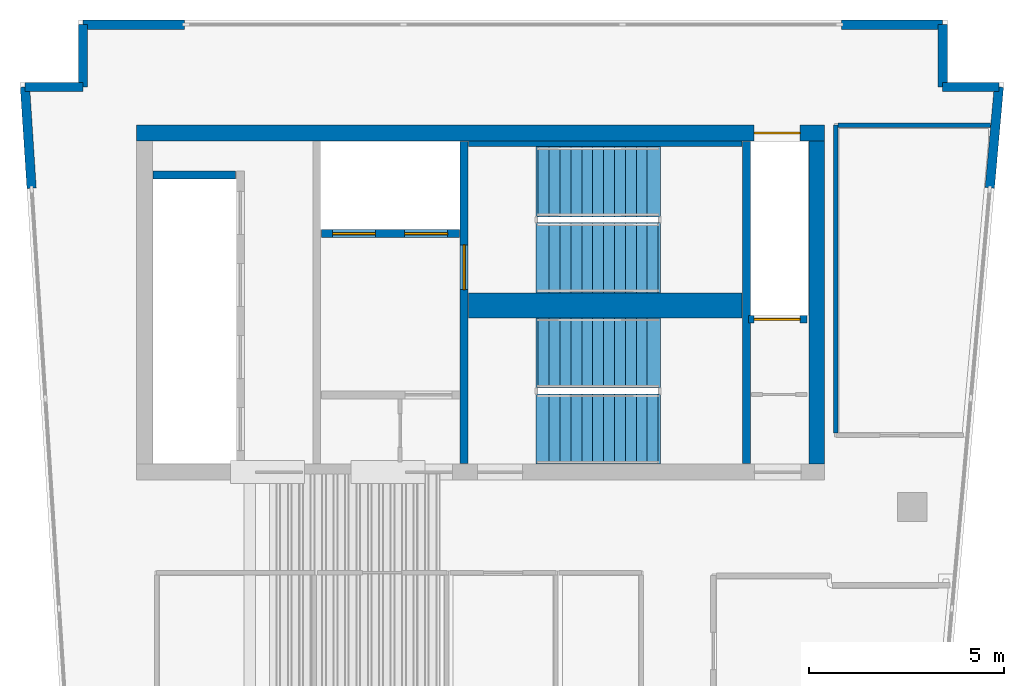
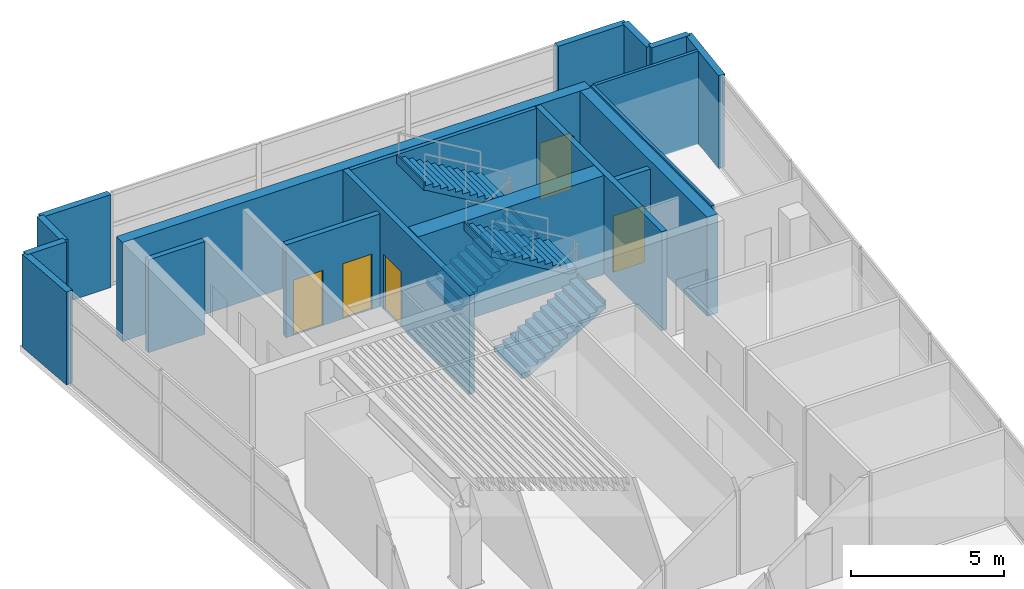
# One storey, part 5 of 7: 19 walls, 5 doors, 4 stair flights, 5 openings, 2 elements without a shape of their own.
"""IFC4 building model written with IfcOpenShell, lengths in metres."""

from ifc_helpers import new_model, si_unit, direction, frame, frame_2d, origin, place, context, subcontext, project, spatial, polyline, rectangle, outline, extrude, material, layer, layer_set, type_object, element, fill, aggregate, save


model = new_model("IFC4")

# Units and contexts
model_context = context("Model", 3, precision=1e-05, world=origin(), true_north=direction((0.0, 1.0)))
body_context = subcontext(model_context, "Body", "Model", "MODEL_VIEW")
ifc_project = project(units=[si_unit("LENGTHUNIT", "METRE"), si_unit("AREAUNIT", "SQUARE_METRE"), si_unit("VOLUMEUNIT", "CUBIC_METRE"), si_unit("PLANEANGLEUNIT", "RADIAN"), si_unit("MASSUNIT", "GRAM", prefix="KILO")], contexts=[model_context])

# Site, building, storey
site_placement = place(None, origin())
site = spatial("IfcSite", under=ifc_project, at=site_placement, CompositionType="ELEMENT")
building_placement = place(site_placement, origin())
building = spatial("IfcBuilding", under=site, at=building_placement, Name="Caeloran Harvest Quay", CompositionType="ELEMENT")
storey_placement = place(building_placement, frame((0.0, 0.0, 304.10009765625)))
storey = spatial("IfcBuildingStorey", under=building, at=storey_placement, Name="L73", CompositionType="ELEMENT", Elevation=304.10009765625)

# Walls
ifc_material_1 = material(Name="Precast concrete C50/60", Category="concrete")
ifc_layer_1 = layer(ifc_material_1, 0.239990234375, Name="Precast concrete C50/60")
ifc_layer_set_1 = layer_set([ifc_layer_1], Name="Precast concrete C50/60")
wall_type_1 = type_object("IfcWallType", Name="ENV-WALL-EW-240", PredefinedType="STANDARD", material=ifc_layer_set_1)
wall_1_placement = place(storey_placement, frame((2.902099609375, 39.185546875, 0.0), z_axis=(0.0, 0.0, 1.0), x_axis=(-0.065166541347, 0.997874401861, 0.0)))
element("IfcWall", 1, at=wall_1_placement, inside=storey, type_object=wall_type_1, Name="L73 Exterior Facade Corner Pier Wall 3B", PredefinedType="STANDARD", context=body_context, shape_type="SweptSolid", body=[
    extrude(rectangle(XDim=2.60009765625, YDim=0.239990234375, at=frame_2d((1.300048828125, 0.0))), origin(), (0.0, 0.0, 1.0), 3.699951171875),
])
wall_2_placement = place(storey_placement, frame((2.732666015625, 41.780029296875, 0.0), z_axis=(0.0, 0.0, 1.0), x_axis=(1.0, 0.0, 0.0)))
element("IfcWall", 2, at=wall_2_placement, inside=storey, type_object=wall_type_1, Name="L73 Exterior Precast Concrete Facade Wall 4", PredefinedType="STANDARD", context=body_context, shape_type="SweptSolid", body=[
    extrude(rectangle(XDim=1.4873046875, YDim=0.239990234375, at=frame_2d((0.74365234375, 0.0))), origin(), (0.0, 0.0, 1.0), 3.699951171875),
])
wall_3_placement = place(storey_placement, frame((4.219970703125, 41.780029296875, 0.0), z_axis=(0.0, 0.0, 1.0), x_axis=(0.0, 1.0, 0.0)))
element("IfcWall", 3, at=wall_3_placement, inside=storey, type_object=wall_type_1, Name="L73 Exterior Precast Concrete Facade Wall 5", PredefinedType="STANDARD", context=body_context, shape_type="SweptSolid", body=[
    extrude(rectangle(XDim=1.599853515625, YDim=0.239990234375, at=frame_2d((0.7998046875, 0.0))), origin(), (0.0, 0.0, 1.0), 3.699951171875),
])
for number, where, z_axis, x_axis, name in (
    (4, (4.219970703125, 43.3798828125, 0.0), (0.0, 0.0, 1.0), (1.0, 0.0, 0.0), "L73 Exterior Facade Corner Pier Wall 6A"),
    (5, (23.679931640625, 43.3798828125, 0.0), (0.0, 0.0, 1.0), (1.0, 0.0, 0.0), "L73 Exterior Facade Corner Pier Wall 6B"),
):
    element("IfcWall", number, at=place(storey_placement, frame(where, z_axis=z_axis, x_axis=x_axis)), inside=storey, type_object=wall_type_1, Name=name, PredefinedType="STANDARD", context=body_context, shape_type="SweptSolid", body=[
        extrude(rectangle(XDim=2.60009765625, YDim=0.239990234375, at=frame_2d((1.300048828125, 0.0))), origin(), (0.0, 0.0, 1.0), 3.699951171875),
    ])
wall_4_placement = place(storey_placement, frame((26.280029296875, 43.3798828125, 0.0), z_axis=(0.0, 0.0, 1.0), x_axis=(0.0, -1.0, 0.0)))
element("IfcWall", 6, at=wall_4_placement, inside=storey, type_object=wall_type_1, Name="L73 Exterior Precast Concrete Facade Wall 7", PredefinedType="STANDARD", context=body_context, shape_type="SweptSolid", body=[
    extrude(rectangle(XDim=1.599853515625, YDim=0.239990234375, at=frame_2d((0.7998046875, 0.0))), origin(), (0.0, 0.0, 1.0), 3.699951171875),
])
wall_5_placement = place(storey_placement, frame((26.280029296875, 41.780029296875, 0.0), z_axis=(0.0, 0.0, 1.0), x_axis=(1.0, 0.0, 0.0)))
element("IfcWall", 7, at=wall_5_placement, inside=storey, type_object=wall_type_1, Name="L73 Exterior Precast Concrete Facade Wall 8", PredefinedType="STANDARD", context=body_context, shape_type="SweptSolid", body=[
    extrude(rectangle(XDim=1.4443359375, YDim=0.239990234375, at=frame_2d((0.72216796875, 0.0))), origin(), (0.0, 0.0, 1.0), 3.699951171875),
])
wall_6_placement = place(storey_placement, frame((27.724365234375, 41.780029296875, 0.0), z_axis=(0.0, 0.0, 1.0), x_axis=(-0.089765303723, -0.995962946222, 0.0)))
element("IfcWall", 8, at=wall_6_placement, inside=storey, type_object=wall_type_1, Name="L73 Exterior Facade Corner Pier Wall 9A", PredefinedType="STANDARD", context=body_context, shape_type="SweptSolid", body=[
    extrude(rectangle(XDim=2.60009765625, YDim=0.239990234375, at=frame_2d((1.300048828125, 0.0))), origin(), (0.0, 0.0, 1.0), 3.699951171875),
])
ifc_material_2 = material(Name="Single-Stud Acoustic Gypsum Office Partition", Category="gypsum")
ifc_layer_2 = layer(ifc_material_2, 0.112060546875, Name="Single-Stud Acoustic Gypsum Office Partition")
ifc_layer_set_2 = layer_set([ifc_layer_2], Name="Single-Stud Acoustic Gypsum Office Partition")
wall_type_2 = type_object("IfcWallType", Name="INT-WALL-PW-112", PredefinedType="PARTITIONING", material=ifc_layer_set_2)
wall_7_placement = place(storey_placement, frame((23.5400390625, 32.90087890625, 0.0), z_axis=(0.0, 0.0, 1.0), x_axis=(0.0, 1.0, 0.0)))
element("IfcWall", 9, at=wall_7_placement, inside=storey, type_object=wall_type_2, Name="L73 Bioinformatics and Crop Phenotyping Laboratory Partition Wall", PredefinedType="PARTITIONING", context=body_context, shape_type="SweptSolid", body=[
    extrude(rectangle(XDim=7.899169921875, YDim=0.112060546875, at=frame_2d((3.94970703125, 0.0))), origin(), (0.0, 0.0, 1.0), 3.699951171875),
])
wall_8_placement = place(storey_placement, frame((23.60107421875, 40.800048828125, 0.0), z_axis=(0.0, 0.0, 1.0), x_axis=(1.0, 0.0, 0.0)))
element("IfcWall", 10, at=wall_8_placement, inside=storey, type_object=wall_type_2, Name="L73 Bioinformatics and Crop Phenotyping Laboratory Partition Wall", PredefinedType="PARTITIONING", context=body_context, shape_type="SweptSolid", body=[
    extrude(rectangle(XDim=3.909423828125, YDim=0.112060546875, at=frame_2d((1.95458984375, 0.0))), origin(), (0.0, 0.0, 1.0), 3.699951171875),
])
ifc_material_3 = material(Name="Concrete C50/60", Category="concrete")
ifc_layer_3 = layer(ifc_material_3, 0.199951171875, Name="Concrete C50/60")
ifc_layer_set_3 = layer_set([ifc_layer_3], Name="Concrete C50/60")
wall_type_3 = type_object("IfcWallType", Name="INT-WALL-SW-200", PredefinedType="PARTITIONING", material=ifc_layer_set_3)
wall_9_placement = place(storey_placement, frame((6.02001953125, 39.52001953125, 0.0), z_axis=(0.0, 0.0, 1.0), x_axis=(1.0, 0.0, 0.0)))
element("IfcWall", 11, at=wall_9_placement, inside=storey, type_object=wall_type_3, Name="L73 Bank 3 Lift Shaft North End Wall", PredefinedType="PARTITIONING", context=body_context, shape_type="SweptSolid", body=[
    extrude(rectangle(XDim=2.119873046875, YDim=0.199951171875, at=frame_2d((1.06005859375, 0.0))), origin(), (0.0, 0.0, 1.0), 3.699951171875),
])

# Wall, openings, doors
wall_10_placement = place(storey_placement, frame((10.340087890625, 38.02001953125, 0.0), z_axis=(0.0, 0.0, 1.0), x_axis=(1.0, 0.0, 0.0)))
wall_10 = element("IfcWall", 12, at=wall_10_placement, inside=storey, type_object=wall_type_3, Name="L73 Firefighting Lift Shaft Wall", PredefinedType="PARTITIONING", context=body_context, shape_type="SweptSolid", body=[
    extrude(rectangle(XDim=3.539794921875, YDim=0.199951171875, at=frame_2d((1.77001953125, 0.0))), origin(), (0.0, 0.0, 1.0), 3.699951171875),
])
opening_1_placement = place(wall_10_placement, frame((0.284912109375, 0.0, 0.0)))
opening_1 = element("IfcOpeningElement", 13, at=opening_1_placement, cuts=wall_10, Name="Opening LD-01", PredefinedType="OPENING", context=body_context, shape_type="SweptSolid", body=[
    extrude(rectangle(XDim=1.10009765625, YDim=2.199951171875, at=frame_2d((0.550048828125, 1.10009765625))), frame((0.0, 0.10986328125, 0.0), z_axis=(0.0, -1.0, 0.0), x_axis=(1.0, 0.0, 0.0)), (0.0, 0.0, 1.0), 0.219970703125),
])
opening_2_placement = place(wall_10_placement, frame((2.135009765625, 0.0, 0.0)))
opening_2 = element("IfcOpeningElement", 14, at=opening_2_placement, cuts=wall_10, Name="Opening LD-01", PredefinedType="OPENING", context=body_context, shape_type="SweptSolid", body=[
    extrude(rectangle(XDim=1.10009765625, YDim=2.199951171875, at=frame_2d((0.550048828125, 1.10009765625))), frame((0.0, 0.10986328125, 0.0), z_axis=(0.0, -1.0, 0.0), x_axis=(1.0, 0.0, 0.0)), (0.0, 0.0, 1.0), 0.219970703125),
])
ifc_material_4 = material(Name="Stainless Steel Grade 316", Category="steel")
door_type_1 = type_object("IfcDoorType", Name="INTDOOR-LD-01", OperationType="NOTDEFINED", PredefinedType="DOOR", material=ifc_material_4)
door_1_placement = place(opening_1_placement, origin())
door_1 = element("IfcDoor", 15, at=door_1_placement, inside=storey, type_object=door_type_1, Name="Lift FF-1 Sliding Landing Door (L73)", OperationType="DOUBLE_DOOR_SLIDING", OverallHeight=2.199951171875, OverallWidth=1.10009765625, PredefinedType="DOOR", context=body_context, shape_type="SweptSolid", body=[
    extrude(rectangle(XDim=1.10009765625, YDim=2.199951171875, at=frame_2d((0.550048828125, 1.10009765625))), frame((0.0, 0.02490234375, 0.0), z_axis=(0.0, -1.0, 0.0), x_axis=(1.0, 0.0, 0.0)), (0.0, 0.0, 1.0), 0.050048828125),
])
fill(opening_1, door_1)
door_2_placement = place(opening_2_placement, origin())
door_2 = element("IfcDoor", 16, at=door_2_placement, inside=storey, type_object=door_type_1, Name="Lift FF-2 Sliding Landing Door (L73)", OperationType="DOUBLE_DOOR_SLIDING", OverallHeight=2.199951171875, OverallWidth=1.10009765625, PredefinedType="DOOR", context=body_context, shape_type="SweptSolid", body=[
    extrude(rectangle(XDim=1.10009765625, YDim=2.199951171875, at=frame_2d((0.550048828125, 1.10009765625))), frame((0.0, 0.02490234375, 0.0), z_axis=(0.0, -1.0, 0.0), x_axis=(1.0, 0.0, 0.0)), (0.0, 0.0, 1.0), 0.050048828125),
])
fill(opening_2, door_2)

# Wall, opening, door
wall_11_placement = place(storey_placement, frame((21.300048828125, 35.820068359375, 0.0), z_axis=(0.0, 0.0, 1.0), x_axis=(1.0, 0.0, 0.0)))
wall_11 = element("IfcWall", 17, at=wall_11_placement, inside=storey, type_object=wall_type_3, Name="L73 Service Lift SV-2 Shaft Wall", PredefinedType="PARTITIONING", context=body_context, shape_type="SweptSolid", body=[
    extrude(rectangle(XDim=1.5, YDim=0.199951171875, at=frame_2d((0.75, 0.0))), origin(), (0.0, 0.0, 1.0), 3.699951171875),
])
opening_3_placement = place(wall_11_placement, frame((0.14501953125, 0.0, 0.0)))
opening_3 = element("IfcOpeningElement", 18, at=opening_3_placement, cuts=wall_11, Name="Opening LD-02", PredefinedType="OPENING", context=body_context, shape_type="SweptSolid", body=[
    extrude(rectangle(XDim=1.179931640625, YDim=2.25, at=frame_2d((0.58984375, 1.125))), frame((0.0, 0.10986328125, 0.0), z_axis=(0.0, -1.0, 0.0), x_axis=(1.0, 0.0, 0.0)), (0.0, 0.0, 1.0), 0.219970703125),
])
door_type_2 = type_object("IfcDoorType", Name="INTDOOR-LD-02", OperationType="NOTDEFINED", PredefinedType="DOOR", material=ifc_material_4)
door_3_placement = place(opening_3_placement, origin())
door_3 = element("IfcDoor", 19, at=door_3_placement, inside=storey, type_object=door_type_2, Name="Lift SV-2 Sliding Landing Door (L73)", OperationType="DOUBLE_DOOR_SLIDING", OverallHeight=2.25, OverallWidth=1.179931640625, PredefinedType="DOOR", context=body_context, shape_type="SweptSolid", body=[
    extrude(rectangle(XDim=1.179931640625, YDim=2.25, at=frame_2d((0.58984375, 1.125))), frame((0.0, 0.02490234375, 0.0), z_axis=(0.0, -1.0, 0.0), x_axis=(1.0, 0.0, 0.0)), (0.0, 0.0, 1.0), 0.050048828125),
])
fill(opening_3, door_3)

ifc_material_5 = material(Name="Concrete C60/75", Category="concrete")
ifc_layer_4 = layer(ifc_material_5, 0.39990234375, Name="Concrete C60/75")
ifc_layer_set_4 = layer_set([ifc_layer_4], Name="Concrete C60/75")
wall_type_4 = type_object("IfcWallType", Name="STR-WALL-CW-400", PredefinedType="SHEAR", material=ifc_layer_set_4)
wall_12_placement = place(storey_placement, frame((5.60009765625, 40.60009765625, 0.0), z_axis=(0.0, 0.0, 1.0), x_axis=(1.0, 0.0, 0.0)))
wall_12 = element("IfcWall", 20, at=wall_12_placement, inside=storey, type_object=wall_type_4, Name="L73 Rear Core Shear Wall N", PredefinedType="SHEAR", context=body_context, shape_type="SweptSolid", body=[
    extrude(rectangle(XDim=17.64990234375, YDim=0.39990234375, at=frame_2d((8.824951171875, 0.0))), origin(), (0.0, 0.0, 1.0), 3.949951171875),
])
opening_4_placement = place(wall_12_placement, frame((15.844970703125, 0.0, 0.0)))
opening_4 = element("IfcOpeningElement", 21, at=opening_4_placement, cuts=wall_12, Name="Opening LD-02", PredefinedType="OPENING", context=body_context, shape_type="SweptSolid", body=[
    extrude(rectangle(XDim=1.179931640625, YDim=2.25, at=frame_2d((0.58984375, 1.125))), frame((0.0, 0.2099609375, 0.0), z_axis=(0.0, -1.0, 0.0), x_axis=(1.0, 0.0, 0.0)), (0.0, 0.0, 1.0), 0.419921875),
])
door_4_placement = place(opening_4_placement, origin())
door_4 = element("IfcDoor", 22, at=door_4_placement, inside=storey, type_object=door_type_2, Name="Lift SV-1 Sliding Landing Door (L73)", OperationType="DOUBLE_DOOR_SLIDING", OverallHeight=2.25, OverallWidth=1.179931640625, PredefinedType="DOOR", context=body_context, shape_type="SweptSolid", body=[
    extrude(rectangle(XDim=1.179931640625, YDim=2.25, at=frame_2d((0.58984375, 1.125))), frame((0.0, 0.02490234375, 0.0), z_axis=(0.0, -1.0, 0.0), x_axis=(1.0, 0.0, 0.0)), (0.0, 0.0, 1.0), 0.050048828125),
])
fill(opening_4, door_4)

# Walls
wall_13_placement = place(storey_placement, frame((23.050048828125, 32.10009765625, 0.0), z_axis=(0.0, 0.0, 1.0), x_axis=(0.0, 1.0, 0.0)))
element("IfcWall", 23, at=wall_13_placement, inside=storey, type_object=wall_type_4, Name="L73 Rear Core Shear Wall E", PredefinedType="SHEAR", context=body_context, shape_type="SweptSolid", body=[
    extrude(rectangle(XDim=8.2998046875, YDim=0.39990234375, at=frame_2d((4.14990234375, 0.0))), origin(), (0.0, 0.0, 1.0), 3.949951171875),
])
ifc_layer_5 = layer(ifc_material_5, 0.64990234375, Name="Concrete C60/75")
ifc_layer_set_5 = layer_set([ifc_layer_5], Name="Concrete C60/75")
wall_type_5 = type_object("IfcWallType", Name="STR-WALL-CW-650", PredefinedType="SHEAR", material=ifc_layer_set_5)
wall_14_placement = place(storey_placement, frame((14.1201171875, 36.175048828125, 0.0), z_axis=(0.0, 0.0, 1.0), x_axis=(1.0, 0.0, 0.0)))
element("IfcWall", 24, at=wall_14_placement, inside=storey, type_object=wall_type_5, Name="L73 Core Stairs Dividing Shear Wall", PredefinedType="SHEAR", context=body_context, shape_type="SweptSolid", body=[
    extrude(rectangle(XDim=7.009765625, YDim=0.64990234375, at=frame_2d((3.5048828125, 0.0))), origin(), (0.0, 0.0, 1.0), 3.949951171875),
])
ifc_layer_6 = layer(ifc_material_5, 0.139892578125, Name="Concrete C60/75")
ifc_layer_set_6 = layer_set([ifc_layer_6], Name="Concrete C60/75")
wall_type_6 = type_object("IfcWallType", Name="STR-WALL-SW-140", PredefinedType="SHEAR", material=ifc_layer_set_6)
wall_15_placement = place(storey_placement, frame((14.1201171875, 40.320068359375, 0.0), z_axis=(0.0, 0.0, 1.0), x_axis=(1.0, 0.0, 0.0)))
element("IfcWall", 25, at=wall_15_placement, inside=storey, type_object=wall_type_6, Name="L73 Core Stair ST-C1 North Bearing Shear Wall", PredefinedType="SHEAR", context=body_context, shape_type="SweptSolid", body=[
    extrude(rectangle(XDim=7.009765625, YDim=0.139892578125, at=frame_2d((3.5048828125, 0.0))), origin(), (0.0, 0.0, 1.0), 3.949951171875),
])

# Wall, opening, door
ifc_layer_7 = layer(ifc_material_5, 0.199951171875, Name="Concrete C60/75")
ifc_layer_set_7 = layer_set([ifc_layer_7], Name="Concrete C60/75")
wall_type_7 = type_object("IfcWallType", Name="STR-WALL-SW-200", PredefinedType="SHEAR", material=ifc_layer_set_7)
wall_16_placement = place(storey_placement, frame((14.0, 32.1201171875, 0.0), z_axis=(0.0, 0.0, 1.0), x_axis=(0.0, 1.0, 0.0)))
wall_16 = element("IfcWall", 26, at=wall_16_placement, inside=storey, type_object=wall_type_7, Name="L73 Core Stair Shaft West Shear Wall", PredefinedType="SHEAR", context=body_context, shape_type="SweptSolid", body=[
    extrude(rectangle(XDim=8.259765625, YDim=0.199951171875, at=frame_2d((4.1298828125, 0.0))), origin(), (0.0, 0.0, 1.0), 3.949951171875),
])
opening_5_placement = place(wall_16_placement, frame((4.4599609375, 0.0, 0.0)))
opening_5 = element("IfcOpeningElement", 27, at=opening_5_placement, cuts=wall_16, Name="Opening SD-01", PredefinedType="OPENING", context=body_context, shape_type="SweptSolid", body=[
    extrude(rectangle(XDim=1.14990234375, YDim=2.199951171875, at=frame_2d((0.574951171875, 1.10009765625))), frame((0.0, 0.10986328125, 0.0), z_axis=(0.0, -1.0, 0.0), x_axis=(1.0, 0.0, 0.0)), (0.0, 0.0, 1.0), 0.219970703125),
])
ifc_material_6 = material(Name="Steel", Category="steel")
door_type_3 = type_object("IfcDoorType", Name="INTDOOR-SD-01", OperationType="NOTDEFINED", PredefinedType="DOOR", material=ifc_material_6)
door_5_placement = place(opening_5_placement, origin())
door_5 = element("IfcDoor", 28, at=door_5_placement, inside=storey, type_object=door_type_3, Name="L73 Protected Stair ST-C1 Exit Door", OperationType="SINGLE_SWING_LEFT", OverallHeight=2.199951171875, OverallWidth=1.14990234375, PredefinedType="DOOR", context=body_context, shape_type="SweptSolid", body=[
    extrude(rectangle(XDim=1.14990234375, YDim=2.199951171875, at=frame_2d((0.574951171875, 1.10009765625))), frame((0.0, 0.02490234375, 0.0), z_axis=(0.0, -1.0, 0.0), x_axis=(1.0, 0.0, 0.0)), (0.0, 0.0, 1.0), 0.050048828125),
])
fill(opening_5, door_5)

# Wall
wall_17_placement = place(storey_placement, frame((21.25, 32.1201171875, 0.0), z_axis=(0.0, 0.0, 1.0), x_axis=(0.0, 1.0, 0.0)))
element("IfcWall", 29, at=wall_17_placement, inside=storey, type_object=wall_type_7, Name="L73 Core Stair Shaft East Shear Wall", PredefinedType="SHEAR", context=body_context, shape_type="SweptSolid", body=[
    extrude(rectangle(XDim=8.259765625, YDim=0.199951171875, at=frame_2d((4.1298828125, 0.0))), origin(), (0.0, 0.0, 1.0), 3.949951171875),
])

# Stair, stair flights
stair_type = type_object("IfcStairType", Name="STAIR-STC-180", PredefinedType="HALF_TURN_STAIR", material=ifc_material_3)
stair_1_placement = place(storey_placement, origin())
stair_1 = element("IfcStair", 30, at=stair_1_placement, inside=storey, type_object=stair_type, Name="L73 Core Pressurized Exit Stair ST-C1", PredefinedType="HALF_TURN_STAIR")
stair_flight_type = type_object("IfcStairFlightType", Name="FLIGHT-STC-180", PredefinedType="STRAIGHT", material=ifc_material_3)
stair_flight_1_placement = place(storey_placement, frame((15.89990234375, 37.39990234375, 0.0), z_axis=(0.0, 0.0, 1.0), x_axis=(1.0, 0.0, 0.0)))
stair_flight_1 = element("IfcStairFlight", 31, at=stair_flight_1_placement, type_object=stair_flight_type, Name="ST-C1 flight 1", NumberOfRisers=12, NumberOfTreads=11, PredefinedType="STRAIGHT", RiserHeight=0.164583333, TreadLength=0.28, context=body_context, shape_type="SweptSolid", body=[
    extrude(outline(polyline([(-0.054931640625, -0.044921875), (-0.054931640625, -0.031982421875), (-0.054931640625, -0.018798828125), (-0.054931640625, -0.005615234375), (-0.054931640625, 0.00732421875), (-0.054931640625, 0.0205078125), (-0.054931640625, 0.03369140625), (-0.054931640625, 0.046630859375), (-0.054931640625, 0.059814453125), (-0.054931640625, 0.072998046875), (-0.054931640625, 0.0859375), (-0.054931640625, 0.09912109375), (-0.054931640625, 0.1123046875), (-0.054931640625, 0.125244140625), (-0.054931640625, 0.138427734375), (-0.054931640625, 0.1513671875), (-0.054931640625, 0.16455078125), (0.280029296875, 0.16455078125), (0.280029296875, 0.3291015625), (0.56005859375, 0.3291015625), (0.56005859375, 0.49365234375), (0.840087890625, 0.49365234375), (0.840087890625, 0.658447265625), (1.1201171875, 0.658447265625), (1.1201171875, 0.822998046875), (1.39990234375, 0.822998046875), (1.39990234375, 0.987548828125), (1.679931640625, 0.987548828125), (1.679931640625, 1.152099609375), (1.9599609375, 1.152099609375), (1.9599609375, 1.316650390625), (2.239990234375, 1.316650390625), (2.239990234375, 1.481201171875), (2.52001953125, 1.481201171875), (2.52001953125, 1.645751953125), (2.800048828125, 1.645751953125), (2.800048828125, 1.810302734375), (3.080078125, 1.810302734375), (3.080078125, 1.97509765625), (3.135009765625, 1.97509765625), (3.135009765625, 1.953857421875), (3.135009765625, 1.9326171875), (3.135009765625, 1.91162109375), (3.135009765625, 1.890380859375), (3.135009765625, 1.869140625), (3.135009765625, 1.84814453125), (3.135009765625, 1.826904296875), (3.135009765625, 1.8056640625), (3.135009765625, 1.78466796875), (3.135009765625, 1.763427734375), (3.135009765625, 1.7421875), (3.135009765625, 1.72119140625), (3.135009765625, 1.699951171875), (3.135009765625, 1.678955078125), (3.135009765625, 1.65771484375), (3.135009765625, 1.636474609375), (3.080078125, 1.636474609375), (0.21923828125, -0.044921875), (-0.054931640625, -0.044921875)])), frame((0.0, 0.89990234375, 0.0), z_axis=(0.0, -1.0, 0.0), x_axis=(1.0, 0.0, 0.0)), (0.0, 0.0, 1.0), 1.800048828125),
])
stair_flight_2_placement = place(storey_placement, frame((18.97998046875, 39.35009765625, 1.974853515625), z_axis=(0.0, 0.0, 1.0), x_axis=(-1.0, 0.0, 0.0)))
stair_flight_2 = element("IfcStairFlight", 32, at=stair_flight_2_placement, type_object=stair_flight_type, Name="ST-C1 flight 2", NumberOfRisers=12, NumberOfTreads=11, PredefinedType="STRAIGHT", RiserHeight=0.164583333, TreadLength=0.28, context=body_context, shape_type="SweptSolid", body=[
    extrude(outline(polyline([(-0.054931640625, -0.044921875), (-0.054931640625, -0.031982421875), (-0.054931640625, -0.018798828125), (-0.054931640625, -0.005615234375), (-0.054931640625, 0.00732421875), (-0.054931640625, 0.0205078125), (-0.054931640625, 0.03369140625), (-0.054931640625, 0.046630859375), (-0.054931640625, 0.059814453125), (-0.054931640625, 0.072998046875), (-0.054931640625, 0.0859375), (-0.054931640625, 0.09912109375), (-0.054931640625, 0.1123046875), (-0.054931640625, 0.125244140625), (-0.054931640625, 0.138427734375), (-0.054931640625, 0.1513671875), (-0.054931640625, 0.16455078125), (0.280029296875, 0.16455078125), (0.280029296875, 0.3291015625), (0.56005859375, 0.3291015625), (0.56005859375, 0.49365234375), (0.840087890625, 0.49365234375), (0.840087890625, 0.658447265625), (1.1201171875, 0.658447265625), (1.1201171875, 0.822998046875), (1.39990234375, 0.822998046875), (1.39990234375, 0.987548828125), (1.679931640625, 0.987548828125), (1.679931640625, 1.152099609375), (1.9599609375, 1.152099609375), (1.9599609375, 1.316650390625), (2.239990234375, 1.316650390625), (2.239990234375, 1.481201171875), (2.52001953125, 1.481201171875), (2.52001953125, 1.645751953125), (2.800048828125, 1.645751953125), (2.800048828125, 1.810302734375), (3.080078125, 1.810302734375), (3.080078125, 1.97509765625), (3.135009765625, 1.97509765625), (3.135009765625, 1.953857421875), (3.135009765625, 1.9326171875), (3.135009765625, 1.91162109375), (3.135009765625, 1.890380859375), (3.135009765625, 1.869140625), (3.135009765625, 1.84814453125), (3.135009765625, 1.826904296875), (3.135009765625, 1.8056640625), (3.135009765625, 1.78466796875), (3.135009765625, 1.763427734375), (3.135009765625, 1.7421875), (3.135009765625, 1.72119140625), (3.135009765625, 1.699951171875), (3.135009765625, 1.678955078125), (3.135009765625, 1.65771484375), (3.135009765625, 1.636474609375), (3.080078125, 1.636474609375), (0.21923828125, -0.044921875), (-0.054931640625, -0.044921875)])), frame((0.0, 0.89990234375, 0.0), z_axis=(0.0, -1.0, 0.0), x_axis=(1.0, 0.0, 0.0)), (0.0, 0.0, 1.0), 1.800048828125),
])
aggregate(stair_1, [stair_flight_1, stair_flight_2])

stair_2_placement = place(storey_placement, origin())
stair_2 = element("IfcStair", 33, at=stair_2_placement, inside=storey, type_object=stair_type, Name="L73 Core Pressurized Exit Stair ST-C2", PredefinedType="HALF_TURN_STAIR")
stair_flight_3_placement = place(storey_placement, frame((15.89990234375, 33.0, 0.0), z_axis=(0.0, 0.0, 1.0), x_axis=(1.0, 0.0, 0.0)))
stair_flight_3 = element("IfcStairFlight", 34, at=stair_flight_3_placement, type_object=stair_flight_type, Name="ST-C2 flight 1", NumberOfRisers=12, NumberOfTreads=11, PredefinedType="STRAIGHT", RiserHeight=0.164583333, TreadLength=0.28, context=body_context, shape_type="SweptSolid", body=[
    extrude(outline(polyline([(-0.054931640625, -0.044921875), (-0.054931640625, -0.031982421875), (-0.054931640625, -0.018798828125), (-0.054931640625, -0.005615234375), (-0.054931640625, 0.00732421875), (-0.054931640625, 0.0205078125), (-0.054931640625, 0.03369140625), (-0.054931640625, 0.046630859375), (-0.054931640625, 0.059814453125), (-0.054931640625, 0.072998046875), (-0.054931640625, 0.0859375), (-0.054931640625, 0.09912109375), (-0.054931640625, 0.1123046875), (-0.054931640625, 0.125244140625), (-0.054931640625, 0.138427734375), (-0.054931640625, 0.1513671875), (-0.054931640625, 0.16455078125), (0.280029296875, 0.16455078125), (0.280029296875, 0.3291015625), (0.56005859375, 0.3291015625), (0.56005859375, 0.49365234375), (0.840087890625, 0.49365234375), (0.840087890625, 0.658447265625), (1.1201171875, 0.658447265625), (1.1201171875, 0.822998046875), (1.39990234375, 0.822998046875), (1.39990234375, 0.987548828125), (1.679931640625, 0.987548828125), (1.679931640625, 1.152099609375), (1.9599609375, 1.152099609375), (1.9599609375, 1.316650390625), (2.239990234375, 1.316650390625), (2.239990234375, 1.481201171875), (2.52001953125, 1.481201171875), (2.52001953125, 1.645751953125), (2.800048828125, 1.645751953125), (2.800048828125, 1.810302734375), (3.080078125, 1.810302734375), (3.080078125, 1.97509765625), (3.135009765625, 1.97509765625), (3.135009765625, 1.953857421875), (3.135009765625, 1.9326171875), (3.135009765625, 1.91162109375), (3.135009765625, 1.890380859375), (3.135009765625, 1.869140625), (3.135009765625, 1.84814453125), (3.135009765625, 1.826904296875), (3.135009765625, 1.8056640625), (3.135009765625, 1.78466796875), (3.135009765625, 1.763427734375), (3.135009765625, 1.7421875), (3.135009765625, 1.72119140625), (3.135009765625, 1.699951171875), (3.135009765625, 1.678955078125), (3.135009765625, 1.65771484375), (3.135009765625, 1.636474609375), (3.080078125, 1.636474609375), (0.21923828125, -0.044921875), (-0.054931640625, -0.044921875)])), frame((0.0, 0.89990234375, 0.0), z_axis=(0.0, -1.0, 0.0), x_axis=(1.0, 0.0, 0.0)), (0.0, 0.0, 1.0), 1.800048828125),
])
stair_flight_4_placement = place(storey_placement, frame((18.97998046875, 34.949951171875, 1.974853515625), z_axis=(0.0, 0.0, 1.0), x_axis=(-1.0, 0.0, 0.0)))
stair_flight_4 = element("IfcStairFlight", 35, at=stair_flight_4_placement, type_object=stair_flight_type, Name="ST-C2 flight 2", NumberOfRisers=12, NumberOfTreads=11, PredefinedType="STRAIGHT", RiserHeight=0.164583333, TreadLength=0.28, context=body_context, shape_type="SweptSolid", body=[
    extrude(outline(polyline([(-0.054931640625, -0.044921875), (-0.054931640625, -0.031982421875), (-0.054931640625, -0.018798828125), (-0.054931640625, -0.005615234375), (-0.054931640625, 0.00732421875), (-0.054931640625, 0.0205078125), (-0.054931640625, 0.03369140625), (-0.054931640625, 0.046630859375), (-0.054931640625, 0.059814453125), (-0.054931640625, 0.072998046875), (-0.054931640625, 0.0859375), (-0.054931640625, 0.09912109375), (-0.054931640625, 0.1123046875), (-0.054931640625, 0.125244140625), (-0.054931640625, 0.138427734375), (-0.054931640625, 0.1513671875), (-0.054931640625, 0.16455078125), (0.280029296875, 0.16455078125), (0.280029296875, 0.3291015625), (0.56005859375, 0.3291015625), (0.56005859375, 0.49365234375), (0.840087890625, 0.49365234375), (0.840087890625, 0.658447265625), (1.1201171875, 0.658447265625), (1.1201171875, 0.822998046875), (1.39990234375, 0.822998046875), (1.39990234375, 0.987548828125), (1.679931640625, 0.987548828125), (1.679931640625, 1.152099609375), (1.9599609375, 1.152099609375), (1.9599609375, 1.316650390625), (2.239990234375, 1.316650390625), (2.239990234375, 1.481201171875), (2.52001953125, 1.481201171875), (2.52001953125, 1.645751953125), (2.800048828125, 1.645751953125), (2.800048828125, 1.810302734375), (3.080078125, 1.810302734375), (3.080078125, 1.97509765625), (3.135009765625, 1.97509765625), (3.135009765625, 1.953857421875), (3.135009765625, 1.9326171875), (3.135009765625, 1.91162109375), (3.135009765625, 1.890380859375), (3.135009765625, 1.869140625), (3.135009765625, 1.84814453125), (3.135009765625, 1.826904296875), (3.135009765625, 1.8056640625), (3.135009765625, 1.78466796875), (3.135009765625, 1.763427734375), (3.135009765625, 1.7421875), (3.135009765625, 1.72119140625), (3.135009765625, 1.699951171875), (3.135009765625, 1.678955078125), (3.135009765625, 1.65771484375), (3.135009765625, 1.636474609375), (3.080078125, 1.636474609375), (0.21923828125, -0.044921875), (-0.054931640625, -0.044921875)])), frame((0.0, 0.89990234375, 0.0), z_axis=(0.0, -1.0, 0.0), x_axis=(1.0, 0.0, 0.0)), (0.0, 0.0, 1.0), 1.800048828125),
])
aggregate(stair_2, [stair_flight_3, stair_flight_4])

save(model, "model.ifc")
